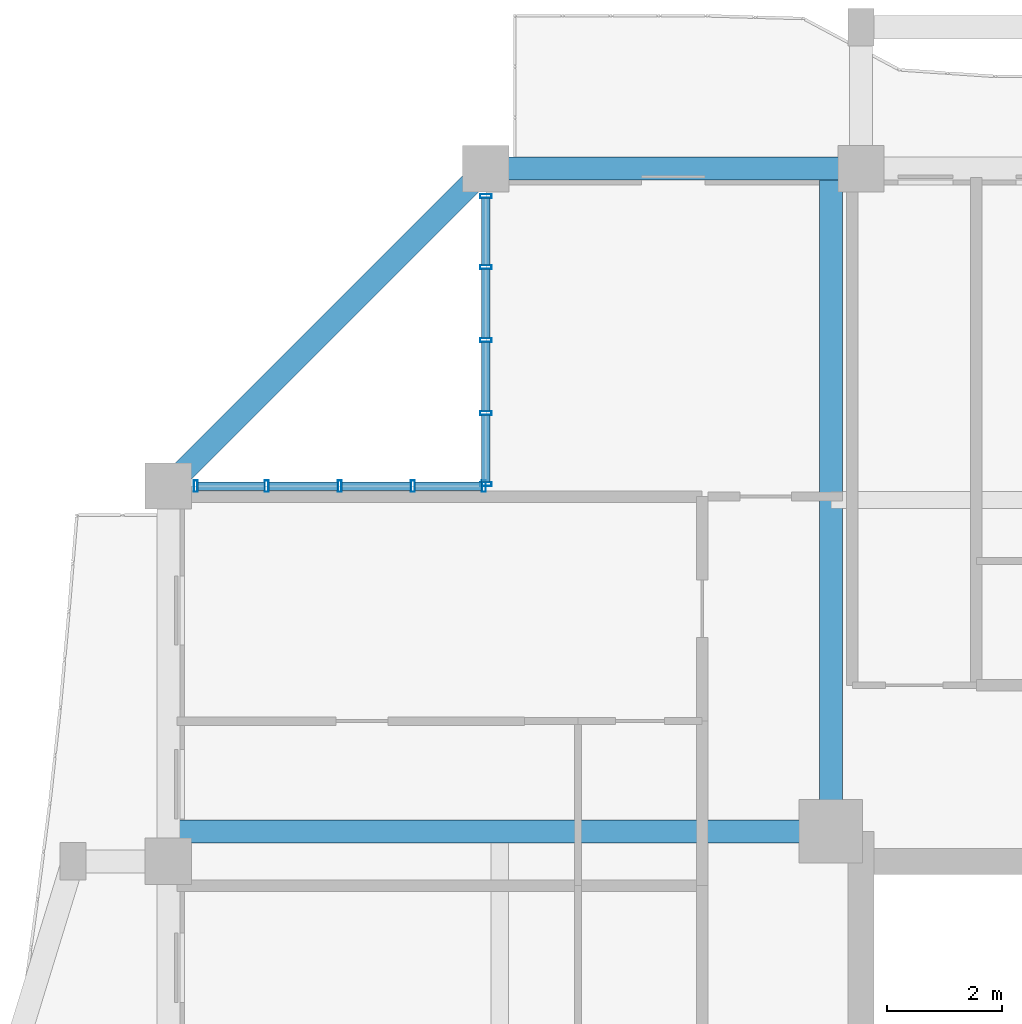
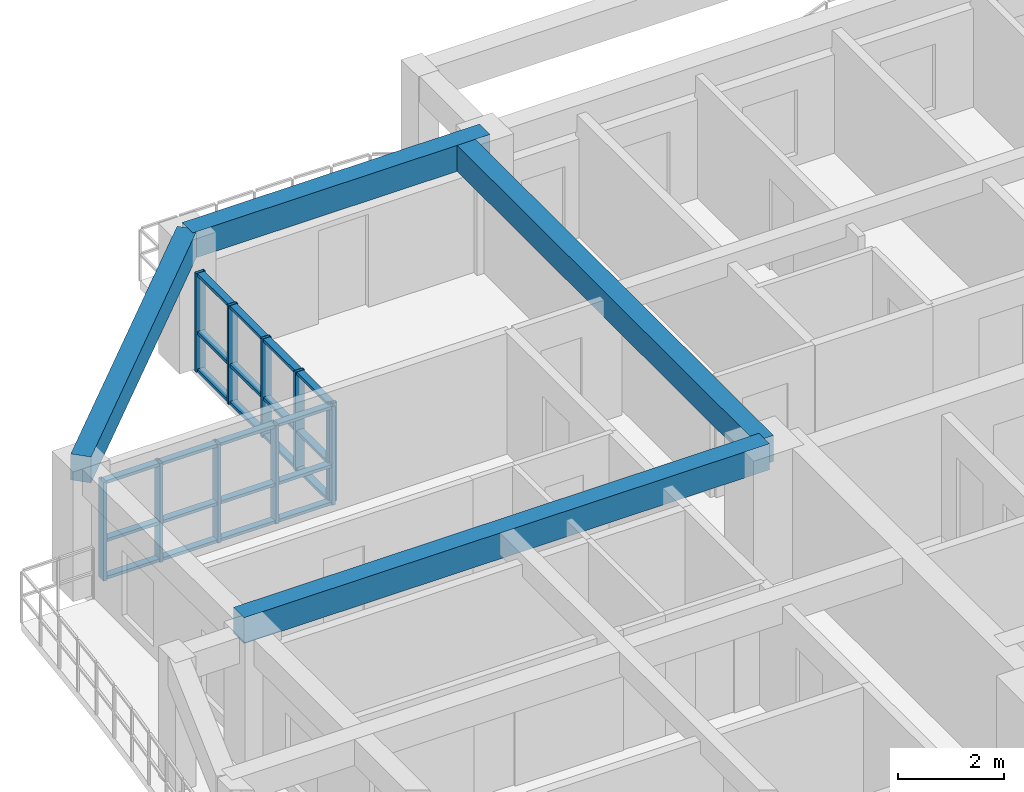
# One storey, part 6 of 22: 34 members, 4 beams, 2 elements without a shape of their own.
"""IFC4 building model written with IfcOpenShell, lengths in metres."""

from ifc_helpers import new_model, si_unit, direction, frame, origin, origin_2d, place, context, subcontext, project, spatial, rectangle, hollow_rectangle, extrude, source, transform, mapped, material, layer, layer_set, material_profile, profile_set, type_object, element, aggregate, save


model = new_model("IFC4")

# Units and contexts
model_context = context("Model", 3, precision=1e-05, world=origin(), true_north=direction((0.0, 1.0)))
body_context = subcontext(model_context, "Body", "Model", "MODEL_VIEW")
ifc_project = project(units=[si_unit("LENGTHUNIT", "METRE"), si_unit("AREAUNIT", "SQUARE_METRE"), si_unit("VOLUMEUNIT", "CUBIC_METRE"), si_unit("PLANEANGLEUNIT", "RADIAN"), si_unit("MASSUNIT", "GRAM", prefix="KILO")], contexts=[model_context])

# Site, building, storey
site_placement = place(None, origin())
site = spatial("IfcSite", under=ifc_project, at=site_placement, CompositionType="ELEMENT")
building_placement = place(site_placement, origin())
building = spatial("IfcBuilding", under=site, at=building_placement, Name="Saelheon Loggia Tower", CompositionType="ELEMENT")
storey_placement = place(building_placement, frame((0.0, 0.0, 196.60009765625)))
storey = spatial("IfcBuildingStorey", under=building, at=storey_placement, Name="L61", CompositionType="ELEMENT", Elevation=196.60009765625)

# Beams
ifc_material_1 = material(Name="Concrete C40/50", Category="concrete")
ifc_material_profile_1 = material_profile(ifc_material_1, rectangle(XDim=0.39990234375, YDim=0.60009765625, at=origin_2d()), Name="RC-400x600")
ifc_profile_set_1 = profile_set([ifc_material_profile_1], Name="Concrete C40/50")
beam_type_1 = type_object("IfcBeamType", Name="Beam_UpperGirder_RC400x600", PredefinedType="BEAM", material=ifc_profile_set_1)
shared_shape_1 = source(origin(), body_context, "Body", "SweptSolid", [
    extrude(rectangle(XDim=0.39990234375, YDim=0.60009765625, at=origin_2d()), origin(), (0.0, 0.0, 1.0), 11.47998046875),
])
for number, where, z_axis, x_axis, name in (
    (1, (30.97998046875, 36.52001953125, 2.699951171875), (0.0, 1.0, 0.0), (-1.0, 0.0, 0.0), "L61 Radial Floor Girder RAD-NW-N"),
    (2, (30.97998046875, 36.52001953125, 2.699951171875), (-1.0, 0.0, 0.0), (0.0, -1.0, 0.0), "L61 Radial Floor Girder RAD-NW-W"),
):
    element("IfcBeam", number, at=place(storey_placement, frame(where, z_axis=z_axis, x_axis=x_axis)), inside=storey, type_object=beam_type_1, Name=name, PredefinedType="BEAM", context=body_context, shape_type="MappedRepresentation", body=[
        mapped(shared_shape_1, transform((0.0, 0.0, 0.0), scale=1.0)),
    ])
ifc_material_profile_2 = material_profile(ifc_material_1, rectangle(XDim=0.39990234375, YDim=0.60009765625, at=origin_2d()), Name="RC-400x600")
ifc_profile_set_2 = profile_set([ifc_material_profile_2], Name="Concrete C40/50")
beam_type_2 = type_object("IfcBeamType", Name="Beam_PerimUpper_RC400x600", PredefinedType="BEAM", material=ifc_profile_set_2)
shared_shape_2 = source(origin(), body_context, "Body", "SweptSolid", [
    extrude(rectangle(XDim=0.39990234375, YDim=0.60009765625, at=origin_2d()), origin(), (0.0, 0.0, 1.0), 6.5),
])
beam_1_placement = place(storey_placement, frame((31.5, 48.0, 2.699951171875), z_axis=(-1.0, 0.0, 0.0), x_axis=(0.0, -1.0, 0.0)))
element("IfcBeam", 3, at=beam_1_placement, inside=storey, type_object=beam_type_2, Name="L61 Perimeter Frame Girder 11", PredefinedType="BEAM", context=body_context, shape_type="MappedRepresentation", body=[
    mapped(shared_shape_2, transform((0.0, 0.0, 0.0), scale=1.0)),
])
shared_shape_3 = source(origin(), body_context, "Body", "SweptSolid", [
    extrude(rectangle(XDim=0.39990234375, YDim=0.60009765625, at=origin_2d()), origin(), (0.0, 0.0, 1.0), 7.778076171875),
])
beam_2_placement = place(storey_placement, frame((25.0, 48.0, 2.699951171875), z_axis=(-0.707106781187, -0.707106781187, 0.0), x_axis=(0.707106781187, -0.707106781187, 0.0)))
element("IfcBeam", 4, at=beam_2_placement, inside=storey, type_object=beam_type_2, Name="L61 Perimeter Frame Girder 12", PredefinedType="BEAM", context=body_context, shape_type="MappedRepresentation", body=[
    mapped(shared_shape_3, transform((0.0, 0.0, 0.0), scale=1.0)),
])

# Curtain wall, members
ifc_material_2 = material(Name="High-Wind Aluminium and Triple Laminated Glass", Category="aluminium")
ifc_layer = layer(ifc_material_2, 0.179931640625)
ifc_layer_set = layer_set([ifc_layer], Name="High-Wind Aluminium and Triple Laminated Glass")
curtain_wall_type = type_object("IfcCurtainWallType", Name="CW_TowerLoggiaHigh", PredefinedType="NOTDEFINED", material=ifc_layer_set)
curtain_wall_1_placement = place(storey_placement, origin())
curtain_wall_1 = element("IfcCurtainWall", 5, at=curtain_wall_1_placement, inside=storey, type_object=curtain_wall_type, Name="L61 Corner Notch Glazing NW1", PredefinedType="NOTDEFINED")
ifc_material_3 = material(Name="Anodised Aluminium 6063-T6", Category="aluminium")
ifc_material_profile_3 = material_profile(ifc_material_3, hollow_rectangle(XDim=0.070068359375, YDim=0.199951171875, WallThickness=0.0048828125, at=origin_2d()), Name="RHS-200x70x5")
ifc_profile_set_3 = profile_set([ifc_material_profile_3], Name="Anodised Aluminium 6063-T6")
member_type_1 = type_object("IfcMemberType", Name="CW_TowerLoggiaHigh_Mullion", PredefinedType="MULLION", material=ifc_profile_set_3)
shared_shape_4 = source(origin(), body_context, "Body", "SweptSolid", [
    extrude(hollow_rectangle(XDim=0.070068359375, YDim=0.199951171875, WallThickness=0.0048828125, at=origin_2d()), origin(), (0.0, 0.0, 1.0), 2.27978515625),
])
member_1_placement = place(storey_placement, frame((25.0, 42.534912109375, 0.0), z_axis=(0.0, 0.0, 1.0), x_axis=(0.0, 1.0, 0.0)))
member_1 = element("IfcMember", 6, at=member_1_placement, type_object=member_type_1, Name="CW4 mullion 1", PredefinedType="MULLION", context=body_context, shape_type="MappedRepresentation", body=[
    mapped(shared_shape_4, transform((0.0, 0.0, 0.0), scale=1.0)),
])
member_2_placement = place(storey_placement, frame((25.0, 43.764892578125, 0.0), z_axis=(0.0, 0.0, 1.0), x_axis=(0.0, 1.0, 0.0)))
member_2 = element("IfcMember", 7, at=member_2_placement, type_object=member_type_1, Name="CW4 mullion 2", PredefinedType="MULLION", context=body_context, shape_type="MappedRepresentation", body=[
    mapped(shared_shape_4, transform((0.0, 0.0, 0.0), scale=1.0)),
])
member_3_placement = place(storey_placement, frame((25.0, 45.030029296875, 0.0), z_axis=(0.0, 0.0, 1.0), x_axis=(0.0, 1.0, 0.0)))
member_3 = element("IfcMember", 8, at=member_3_placement, type_object=member_type_1, Name="CW4 mullion 3", PredefinedType="MULLION", context=body_context, shape_type="MappedRepresentation", body=[
    mapped(shared_shape_4, transform((0.0, 0.0, 0.0), scale=1.0)),
])
member_4_placement = place(storey_placement, frame((25.0, 46.294921875, 0.0), z_axis=(0.0, 0.0, 1.0), x_axis=(0.0, 1.0, 0.0)))
member_4 = element("IfcMember", 9, at=member_4_placement, type_object=member_type_1, Name="CW4 mullion 4", PredefinedType="MULLION", context=body_context, shape_type="MappedRepresentation", body=[
    mapped(shared_shape_4, transform((0.0, 0.0, 0.0), scale=1.0)),
])
member_5_placement = place(storey_placement, frame((25.0, 47.52490234375, 0.0), z_axis=(0.0, 0.0, 1.0), x_axis=(0.0, 1.0, 0.0)))
member_5 = element("IfcMember", 10, at=member_5_placement, type_object=member_type_1, Name="CW4 mullion 5", PredefinedType="MULLION", context=body_context, shape_type="MappedRepresentation", body=[
    mapped(shared_shape_4, transform((0.0, 0.0, 0.0), scale=1.0)),
])

curtain_wall_2_placement = place(storey_placement, origin())
curtain_wall_2 = element("IfcCurtainWall", 11, at=curtain_wall_2_placement, inside=storey, type_object=curtain_wall_type, Name="L61 Corner Notch Glazing NW2", PredefinedType="NOTDEFINED")
member_6_placement = place(storey_placement, frame((19.97509765625, 42.5, 0.0), z_axis=(0.0, 0.0, 1.0), x_axis=(1.0, 0.0, 0.0)))
member_6 = element("IfcMember", 12, at=member_6_placement, type_object=member_type_1, Name="CW4 mullion 1", PredefinedType="MULLION", context=body_context, shape_type="MappedRepresentation", body=[
    mapped(shared_shape_4, transform((0.0, 0.0, 0.0), scale=1.0)),
])
member_7_placement = place(storey_placement, frame((21.205078125, 42.5, 0.0), z_axis=(0.0, 0.0, 1.0), x_axis=(1.0, 0.0, 0.0)))
member_7 = element("IfcMember", 13, at=member_7_placement, type_object=member_type_1, Name="CW4 mullion 2", PredefinedType="MULLION", context=body_context, shape_type="MappedRepresentation", body=[
    mapped(shared_shape_4, transform((0.0, 0.0, 0.0), scale=1.0)),
])
member_8_placement = place(storey_placement, frame((22.469970703125, 42.5, 0.0), z_axis=(0.0, 0.0, 1.0), x_axis=(1.0, 0.0, 0.0)))
member_8 = element("IfcMember", 14, at=member_8_placement, type_object=member_type_1, Name="CW4 mullion 3", PredefinedType="MULLION", context=body_context, shape_type="MappedRepresentation", body=[
    mapped(shared_shape_4, transform((0.0, 0.0, 0.0), scale=1.0)),
])
member_9_placement = place(storey_placement, frame((23.735107421875, 42.5, 0.0), z_axis=(0.0, 0.0, 1.0), x_axis=(1.0, 0.0, 0.0)))
member_9 = element("IfcMember", 15, at=member_9_placement, type_object=member_type_1, Name="CW4 mullion 4", PredefinedType="MULLION", context=body_context, shape_type="MappedRepresentation", body=[
    mapped(shared_shape_4, transform((0.0, 0.0, 0.0), scale=1.0)),
])
member_10_placement = place(storey_placement, frame((24.965087890625, 42.5, 0.0), z_axis=(0.0, 0.0, 1.0), x_axis=(1.0, 0.0, 0.0)))
member_10 = element("IfcMember", 16, at=member_10_placement, type_object=member_type_1, Name="CW4 mullion 5", PredefinedType="MULLION", context=body_context, shape_type="MappedRepresentation", body=[
    mapped(shared_shape_4, transform((0.0, 0.0, 0.0), scale=1.0)),
])

# Member
ifc_material_profile_4 = material_profile(ifc_material_3, hollow_rectangle(XDim=0.070068359375, YDim=0.14990234375, WallThickness=0.0048828125, at=origin_2d()), Name="RHS-150x70x5")
ifc_profile_set_4 = profile_set([ifc_material_profile_4], Name="Anodised Aluminium 6063-T6")
member_type_2 = type_object("IfcMemberType", Name="CW_TowerLoggiaHigh_Transom", PredefinedType="USERDEFINED", material=ifc_profile_set_4)
shared_shape_5 = source(origin(), body_context, "Body", "SweptSolid", [
    extrude(hollow_rectangle(XDim=0.070068359375, YDim=0.14990234375, WallThickness=0.0048828125, at=origin_2d()), origin(), (0.0, 0.0, 1.0), 1.159912109375),
])
member_11_placement = place(storey_placement, frame((25.0, 42.570068359375, 0.034912109375), z_axis=(0.0, 1.0, 0.0), x_axis=(0.0, 0.0, 1.0)))
member_11 = element("IfcMember", 17, at=member_11_placement, type_object=member_type_2, Name="CW4 transom 1.1", ObjectType="TRANSOM", PredefinedType="USERDEFINED", context=body_context, shape_type="MappedRepresentation", body=[
    mapped(shared_shape_5, transform((0.0, 0.0, 0.0), scale=1.0)),
])

member_12_placement = place(storey_placement, frame((25.0, 42.570068359375, 0.89990234375), z_axis=(0.0, 1.0, 0.0), x_axis=(0.0, 0.0, 1.0)))
member_12 = element("IfcMember", 18, at=member_12_placement, type_object=member_type_2, Name="CW4 transom 1.2", ObjectType="TRANSOM", PredefinedType="USERDEFINED", context=body_context, shape_type="MappedRepresentation", body=[
    mapped(shared_shape_5, transform((0.0, 0.0, 0.0), scale=1.0)),
])

member_13_placement = place(storey_placement, frame((25.0, 42.570068359375, 2.244873046875), z_axis=(0.0, 1.0, 0.0), x_axis=(0.0, 0.0, 1.0)))
member_13 = element("IfcMember", 19, at=member_13_placement, type_object=member_type_2, Name="CW4 transom 1.3", ObjectType="TRANSOM", PredefinedType="USERDEFINED", context=body_context, shape_type="MappedRepresentation", body=[
    mapped(shared_shape_5, transform((0.0, 0.0, 0.0), scale=1.0)),
])

member_14_placement = place(storey_placement, frame((25.0, 46.330078125, 0.034912109375), z_axis=(0.0, 1.0, 0.0), x_axis=(0.0, 0.0, 1.0)))
member_14 = element("IfcMember", 20, at=member_14_placement, type_object=member_type_2, Name="CW4 transom 4.1", ObjectType="TRANSOM", PredefinedType="USERDEFINED", context=body_context, shape_type="MappedRepresentation", body=[
    mapped(shared_shape_5, transform((0.0, 0.0, 0.0), scale=1.0)),
])

member_15_placement = place(storey_placement, frame((25.0, 46.330078125, 0.89990234375), z_axis=(0.0, 1.0, 0.0), x_axis=(0.0, 0.0, 1.0)))
member_15 = element("IfcMember", 21, at=member_15_placement, type_object=member_type_2, Name="CW4 transom 4.2", ObjectType="TRANSOM", PredefinedType="USERDEFINED", context=body_context, shape_type="MappedRepresentation", body=[
    mapped(shared_shape_5, transform((0.0, 0.0, 0.0), scale=1.0)),
])

member_16_placement = place(storey_placement, frame((25.0, 46.330078125, 2.244873046875), z_axis=(0.0, 1.0, 0.0), x_axis=(0.0, 0.0, 1.0)))
member_16 = element("IfcMember", 22, at=member_16_placement, type_object=member_type_2, Name="CW4 transom 4.3", ObjectType="TRANSOM", PredefinedType="USERDEFINED", context=body_context, shape_type="MappedRepresentation", body=[
    mapped(shared_shape_5, transform((0.0, 0.0, 0.0), scale=1.0)),
])

member_17_placement = place(storey_placement, frame((20.010009765625, 42.5, 0.034912109375), z_axis=(1.0, 0.0, 0.0), x_axis=(0.0, 0.0, 1.0)))
member_17 = element("IfcMember", 23, at=member_17_placement, type_object=member_type_2, Name="CW4 transom 1.1", ObjectType="TRANSOM", PredefinedType="USERDEFINED", context=body_context, shape_type="MappedRepresentation", body=[
    mapped(shared_shape_5, transform((0.0, 0.0, 0.0), scale=1.0)),
])

member_18_placement = place(storey_placement, frame((20.010009765625, 42.5, 0.89990234375), z_axis=(1.0, 0.0, 0.0), x_axis=(0.0, 0.0, 1.0)))
member_18 = element("IfcMember", 24, at=member_18_placement, type_object=member_type_2, Name="CW4 transom 1.2", ObjectType="TRANSOM", PredefinedType="USERDEFINED", context=body_context, shape_type="MappedRepresentation", body=[
    mapped(shared_shape_5, transform((0.0, 0.0, 0.0), scale=1.0)),
])

member_19_placement = place(storey_placement, frame((20.010009765625, 42.5, 2.244873046875), z_axis=(1.0, 0.0, 0.0), x_axis=(0.0, 0.0, 1.0)))
member_19 = element("IfcMember", 25, at=member_19_placement, type_object=member_type_2, Name="CW4 transom 1.3", ObjectType="TRANSOM", PredefinedType="USERDEFINED", context=body_context, shape_type="MappedRepresentation", body=[
    mapped(shared_shape_5, transform((0.0, 0.0, 0.0), scale=1.0)),
])

member_20_placement = place(storey_placement, frame((23.77001953125, 42.5, 0.034912109375), z_axis=(1.0, 0.0, 0.0), x_axis=(0.0, 0.0, 1.0)))
member_20 = element("IfcMember", 26, at=member_20_placement, type_object=member_type_2, Name="CW4 transom 4.1", ObjectType="TRANSOM", PredefinedType="USERDEFINED", context=body_context, shape_type="MappedRepresentation", body=[
    mapped(shared_shape_5, transform((0.0, 0.0, 0.0), scale=1.0)),
])

member_21_placement = place(storey_placement, frame((23.77001953125, 42.5, 0.89990234375), z_axis=(1.0, 0.0, 0.0), x_axis=(0.0, 0.0, 1.0)))
member_21 = element("IfcMember", 27, at=member_21_placement, type_object=member_type_2, Name="CW4 transom 4.2", ObjectType="TRANSOM", PredefinedType="USERDEFINED", context=body_context, shape_type="MappedRepresentation", body=[
    mapped(shared_shape_5, transform((0.0, 0.0, 0.0), scale=1.0)),
])

member_22_placement = place(storey_placement, frame((23.77001953125, 42.5, 2.244873046875), z_axis=(1.0, 0.0, 0.0), x_axis=(0.0, 0.0, 1.0)))
member_22 = element("IfcMember", 28, at=member_22_placement, type_object=member_type_2, Name="CW4 transom 4.3", ObjectType="TRANSOM", PredefinedType="USERDEFINED", context=body_context, shape_type="MappedRepresentation", body=[
    mapped(shared_shape_5, transform((0.0, 0.0, 0.0), scale=1.0)),
])

shared_shape_6 = source(origin(), body_context, "Body", "SweptSolid", [
    extrude(hollow_rectangle(XDim=0.070068359375, YDim=0.14990234375, WallThickness=0.0048828125, at=origin_2d()), origin(), (0.0, 0.0, 1.0), 1.195068359375),
])
member_23_placement = place(storey_placement, frame((25.0, 43.800048828125, 0.034912109375), z_axis=(0.0, 1.0, 0.0), x_axis=(0.0, 0.0, 1.0)))
member_23 = element("IfcMember", 29, at=member_23_placement, type_object=member_type_2, Name="CW4 transom 2.1", ObjectType="TRANSOM", PredefinedType="USERDEFINED", context=body_context, shape_type="MappedRepresentation", body=[
    mapped(shared_shape_6, transform((0.0, 0.0, 0.0), scale=1.0)),
])

member_24_placement = place(storey_placement, frame((25.0, 43.800048828125, 0.89990234375), z_axis=(0.0, 1.0, 0.0), x_axis=(0.0, 0.0, 1.0)))
member_24 = element("IfcMember", 30, at=member_24_placement, type_object=member_type_2, Name="CW4 transom 2.2", ObjectType="TRANSOM", PredefinedType="USERDEFINED", context=body_context, shape_type="MappedRepresentation", body=[
    mapped(shared_shape_6, transform((0.0, 0.0, 0.0), scale=1.0)),
])

member_25_placement = place(storey_placement, frame((25.0, 43.800048828125, 2.244873046875), z_axis=(0.0, 1.0, 0.0), x_axis=(0.0, 0.0, 1.0)))
member_25 = element("IfcMember", 31, at=member_25_placement, type_object=member_type_2, Name="CW4 transom 2.3", ObjectType="TRANSOM", PredefinedType="USERDEFINED", context=body_context, shape_type="MappedRepresentation", body=[
    mapped(shared_shape_6, transform((0.0, 0.0, 0.0), scale=1.0)),
])

member_26_placement = place(storey_placement, frame((25.0, 45.06494140625, 0.034912109375), z_axis=(0.0, 1.0, 0.0), x_axis=(0.0, 0.0, 1.0)))
member_26 = element("IfcMember", 32, at=member_26_placement, type_object=member_type_2, Name="CW4 transom 3.1", ObjectType="TRANSOM", PredefinedType="USERDEFINED", context=body_context, shape_type="MappedRepresentation", body=[
    mapped(shared_shape_6, transform((0.0, 0.0, 0.0), scale=1.0)),
])

member_27_placement = place(storey_placement, frame((25.0, 45.06494140625, 0.89990234375), z_axis=(0.0, 1.0, 0.0), x_axis=(0.0, 0.0, 1.0)))
member_27 = element("IfcMember", 33, at=member_27_placement, type_object=member_type_2, Name="CW4 transom 3.2", ObjectType="TRANSOM", PredefinedType="USERDEFINED", context=body_context, shape_type="MappedRepresentation", body=[
    mapped(shared_shape_6, transform((0.0, 0.0, 0.0), scale=1.0)),
])

member_28_placement = place(storey_placement, frame((25.0, 45.06494140625, 2.244873046875), z_axis=(0.0, 1.0, 0.0), x_axis=(0.0, 0.0, 1.0)))
member_28 = element("IfcMember", 34, at=member_28_placement, type_object=member_type_2, Name="CW4 transom 3.3", ObjectType="TRANSOM", PredefinedType="USERDEFINED", context=body_context, shape_type="MappedRepresentation", body=[
    mapped(shared_shape_6, transform((0.0, 0.0, 0.0), scale=1.0)),
])

aggregate(curtain_wall_1, [member_1, member_2, member_3, member_4, member_5, member_11, member_12, member_13, member_23, member_24, member_25, member_26, member_27, member_28, member_14, member_15, member_16])

member_29_placement = place(storey_placement, frame((21.239990234375, 42.5, 0.034912109375), z_axis=(1.0, 0.0, 0.0), x_axis=(0.0, 0.0, 1.0)))
member_29 = element("IfcMember", 35, at=member_29_placement, type_object=member_type_2, Name="CW4 transom 2.1", ObjectType="TRANSOM", PredefinedType="USERDEFINED", context=body_context, shape_type="MappedRepresentation", body=[
    mapped(shared_shape_6, transform((0.0, 0.0, 0.0), scale=1.0)),
])

member_30_placement = place(storey_placement, frame((21.239990234375, 42.5, 0.89990234375), z_axis=(1.0, 0.0, 0.0), x_axis=(0.0, 0.0, 1.0)))
member_30 = element("IfcMember", 36, at=member_30_placement, type_object=member_type_2, Name="CW4 transom 2.2", ObjectType="TRANSOM", PredefinedType="USERDEFINED", context=body_context, shape_type="MappedRepresentation", body=[
    mapped(shared_shape_6, transform((0.0, 0.0, 0.0), scale=1.0)),
])

member_31_placement = place(storey_placement, frame((21.239990234375, 42.5, 2.244873046875), z_axis=(1.0, 0.0, 0.0), x_axis=(0.0, 0.0, 1.0)))
member_31 = element("IfcMember", 37, at=member_31_placement, type_object=member_type_2, Name="CW4 transom 2.3", ObjectType="TRANSOM", PredefinedType="USERDEFINED", context=body_context, shape_type="MappedRepresentation", body=[
    mapped(shared_shape_6, transform((0.0, 0.0, 0.0), scale=1.0)),
])

member_32_placement = place(storey_placement, frame((22.5048828125, 42.5, 0.034912109375), z_axis=(1.0, 0.0, 0.0), x_axis=(0.0, 0.0, 1.0)))
member_32 = element("IfcMember", 38, at=member_32_placement, type_object=member_type_2, Name="CW4 transom 3.1", ObjectType="TRANSOM", PredefinedType="USERDEFINED", context=body_context, shape_type="MappedRepresentation", body=[
    mapped(shared_shape_6, transform((0.0, 0.0, 0.0), scale=1.0)),
])

member_33_placement = place(storey_placement, frame((22.5048828125, 42.5, 0.89990234375), z_axis=(1.0, 0.0, 0.0), x_axis=(0.0, 0.0, 1.0)))
member_33 = element("IfcMember", 39, at=member_33_placement, type_object=member_type_2, Name="CW4 transom 3.2", ObjectType="TRANSOM", PredefinedType="USERDEFINED", context=body_context, shape_type="MappedRepresentation", body=[
    mapped(shared_shape_6, transform((0.0, 0.0, 0.0), scale=1.0)),
])

member_34_placement = place(storey_placement, frame((22.5048828125, 42.5, 2.244873046875), z_axis=(1.0, 0.0, 0.0), x_axis=(0.0, 0.0, 1.0)))
member_34 = element("IfcMember", 40, at=member_34_placement, type_object=member_type_2, Name="CW4 transom 3.3", ObjectType="TRANSOM", PredefinedType="USERDEFINED", context=body_context, shape_type="MappedRepresentation", body=[
    mapped(shared_shape_6, transform((0.0, 0.0, 0.0), scale=1.0)),
])

aggregate(curtain_wall_2, [member_6, member_7, member_8, member_9, member_10, member_17, member_18, member_19, member_29, member_30, member_31, member_32, member_33, member_34, member_20, member_21, member_22])

save(model, "model.ifc")
